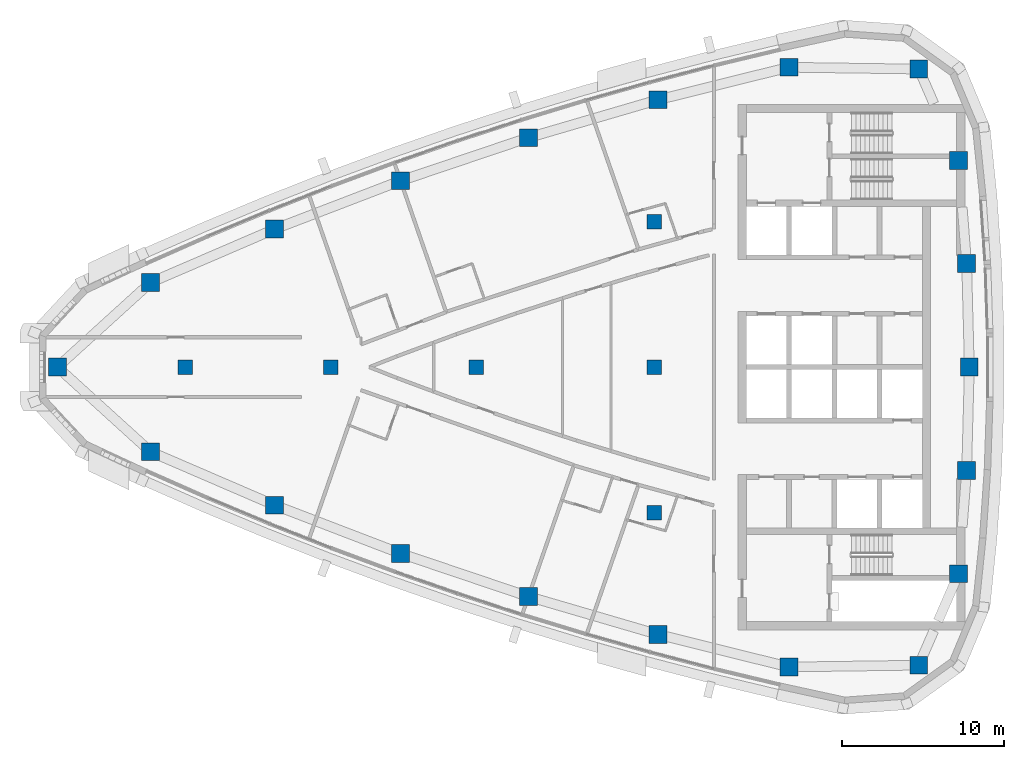
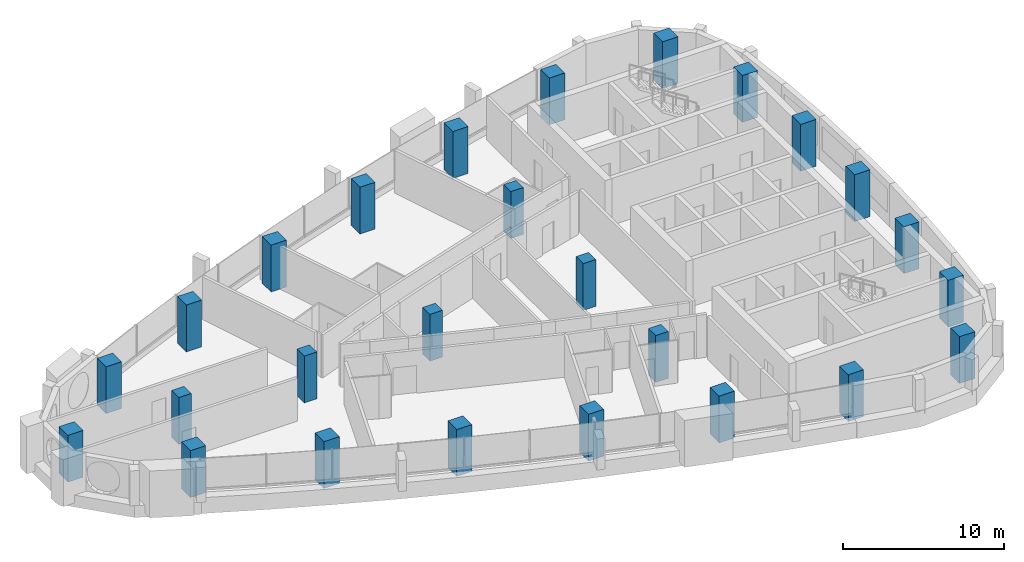
# One storey, part 1 of 14: 26 columns.
"""IFC4 building model written with IfcOpenShell, lengths in metres."""

from ifc_helpers import new_model, si_unit, direction, frame, origin, origin_2d, place, context, subcontext, project, spatial, rectangle, extrude, material, material_profile, profile_set, type_object, element, save


model = new_model("IFC4")

# Units and contexts
model_context = context("Model", 3, precision=1e-05, world=origin(), true_north=direction((0.0, 1.0)))
body_context = subcontext(model_context, "Body", "Model", "MODEL_VIEW")
ifc_project = project(units=[si_unit("LENGTHUNIT", "METRE"), si_unit("AREAUNIT", "SQUARE_METRE"), si_unit("VOLUMEUNIT", "CUBIC_METRE"), si_unit("PLANEANGLEUNIT", "RADIAN"), si_unit("MASSUNIT", "GRAM", prefix="KILO")], contexts=[model_context])

# Site, building, storey
site_placement = place(None, origin())
site = spatial("IfcSite", under=ifc_project, at=site_placement, CompositionType="ELEMENT")
building_placement = place(site_placement, origin())
building = spatial("IfcBuilding", under=site, at=building_placement, Name="Ostrand Prow Hotel Tower", CompositionType="ELEMENT")
storey_placement = place(building_placement, frame((0.0, 0.0, 267.89990234375)))
storey = spatial("IfcBuildingStorey", under=building, at=storey_placement, Name="L67", CompositionType="ELEMENT", Elevation=267.89990234375)

# Columns
ifc_material_1 = material(Name="Concrete C50/60", Category="concrete")
ifc_material_profile_1 = material_profile(ifc_material_1, rectangle(XDim=0.89990234375, YDim=0.89990234375, at=origin_2d()), Name="RC 900x900")
ifc_profile_set_1 = profile_set([ifc_material_profile_1], Name="Concrete C50/60")
column_type_1 = type_object("IfcColumnType", Name="Interior column 900x900 C50/60", PredefinedType="COLUMN", material=ifc_profile_set_1)
for number, where, z_axis, x_axis, name in (
    (1, (16.0, 0.0, 0.0), (0.0, 0.0, 1.0), (1.0, 0.0, 0.0), "Interior column 16C0"),
    (2, (25.0, 0.0, 0.0), (0.0, 0.0, 1.0), (1.0, 0.0, 0.0), "Interior column 25C0"),
    (3, (34.0, 0.0, 0.0), (0.0, 0.0, 1.0), (1.0, 0.0, 0.0), "Interior column 34C0"),
    (4, (45.0, -9.0, 0.0), (0.0, 0.0, 1.0), (1.0, 0.0, 0.0), "Interior column 45S9"),
    (5, (45.0, 0.0, 0.0), (0.0, 0.0, 1.0), (1.0, 0.0, 0.0), "Interior column 45C0"),
    (6, (45.0, 9.0, 0.0), (0.0, 0.0, 1.0), (1.0, 0.0, 0.0), "Interior column 45N9"),
):
    element("IfcColumn", number, at=place(storey_placement, frame(where, z_axis=z_axis, x_axis=x_axis)), inside=storey, type_object=column_type_1, Name=name, PredefinedType="COLUMN", context=body_context, shape_type="SweptSolid", body=[
        extrude(rectangle(XDim=0.89990234375, YDim=0.89990234375, at=origin_2d()), origin(), (0.0, 0.0, 1.0), 3.550048828125),
    ])
ifc_material_2 = material(Name="Concrete C50/60", Category="concrete")
ifc_material_profile_2 = material_profile(ifc_material_2, rectangle(XDim=1.10009765625, YDim=1.10009765625, at=origin_2d()), Name="RC 1100x1100")
ifc_profile_set_2 = profile_set([ifc_material_profile_2], Name="Concrete C50/60")
column_type_2 = type_object("IfcColumnType", Name="Stone-faced mega column 1100x1100 C50/60", PredefinedType="COLUMN", material=ifc_profile_set_2)
for number, where, z_axis, x_axis, name in (
    (7, (8.082763671875, 0.0, 0.0), (0.0, 0.0, 1.0), (1.0, 0.0, 0.0), "Mega column P"),
    (8, (13.846435546875, -5.23681640625, 0.0), (0.0, 0.0, 1.0), (1.0, 0.0, 0.0), "Mega column S1"),
    (9, (21.51416015625, -8.5400390625, 0.0), (0.0, 0.0, 1.0), (1.0, 0.0, 0.0), "Mega column S2"),
    (10, (29.31005859375, -11.528076171875, 0.0), (0.0, 0.0, 1.0), (1.0, 0.0, 0.0), "Mega column S3"),
    (11, (37.22119140625, -14.19580078125, 0.0), (0.0, 0.0, 1.0), (1.0, 0.0, 0.0), "Mega column S4"),
    (12, (45.234619140625, -16.53857421875, 0.0), (0.0, 0.0, 1.0), (1.0, 0.0, 0.0), "Mega column S5"),
    (13, (53.3369140625, -18.552978515625, 0.0), (0.0, 0.0, 1.0), (1.0, 0.0, 0.0), "Mega column S6"),
    (14, (61.374267578125, -18.439697265625, 0.0), (0.0, 0.0, 1.0), (1.0, 0.0, 0.0), "Mega column SE"),
    (15, (63.831787109375, -12.7890625, 0.0), (0.0, 0.0, 1.0), (1.0, 0.0, 0.0), "Mega column B1"),
    (16, (64.332763671875, -6.4033203125, 0.0), (0.0, 0.0, 1.0), (1.0, 0.0, 0.0), "Mega column B2"),
    (17, (64.5, 0.0, 0.0), (0.0, 0.0, 1.0), (1.0, 0.0, 0.0), "Mega column B3"),
    (18, (64.332763671875, 6.4033203125, 0.0), (0.0, 0.0, 1.0), (1.0, 0.0, 0.0), "Mega column B4"),
    (19, (63.831787109375, 12.7890625, 0.0), (0.0, 0.0, 1.0), (1.0, 0.0, 0.0), "Mega column B5"),
    (20, (61.374267578125, 18.439697265625, 0.0), (0.0, 0.0, 1.0), (1.0, 0.0, 0.0), "Mega column NE"),
    (21, (53.3369140625, 18.552978515625, 0.0), (0.0, 0.0, 1.0), (1.0, 0.0, 0.0), "Mega column N1"),
    (22, (45.234619140625, 16.53857421875, 0.0), (0.0, 0.0, 1.0), (1.0, 0.0, 0.0), "Mega column N2"),
    (23, (37.22119140625, 14.19580078125, 0.0), (0.0, 0.0, 1.0), (1.0, 0.0, 0.0), "Mega column N3"),
    (24, (29.31005859375, 11.528076171875, 0.0), (0.0, 0.0, 1.0), (1.0, 0.0, 0.0), "Mega column N4"),
    (25, (21.51416015625, 8.5400390625, 0.0), (0.0, 0.0, 1.0), (1.0, 0.0, 0.0), "Mega column N5"),
    (26, (13.846435546875, 5.23681640625, 0.0), (0.0, 0.0, 1.0), (1.0, 0.0, 0.0), "Mega column N6"),
):
    element("IfcColumn", number, at=place(storey_placement, frame(where, z_axis=z_axis, x_axis=x_axis)), inside=storey, type_object=column_type_2, Name=name, PredefinedType="COLUMN", context=body_context, shape_type="SweptSolid", body=[
        extrude(rectangle(XDim=1.10009765625, YDim=1.10009765625, at=origin_2d()), origin(), (0.0, 0.0, 1.0), 3.550048828125),
    ])

save(model, "model.ifc")
